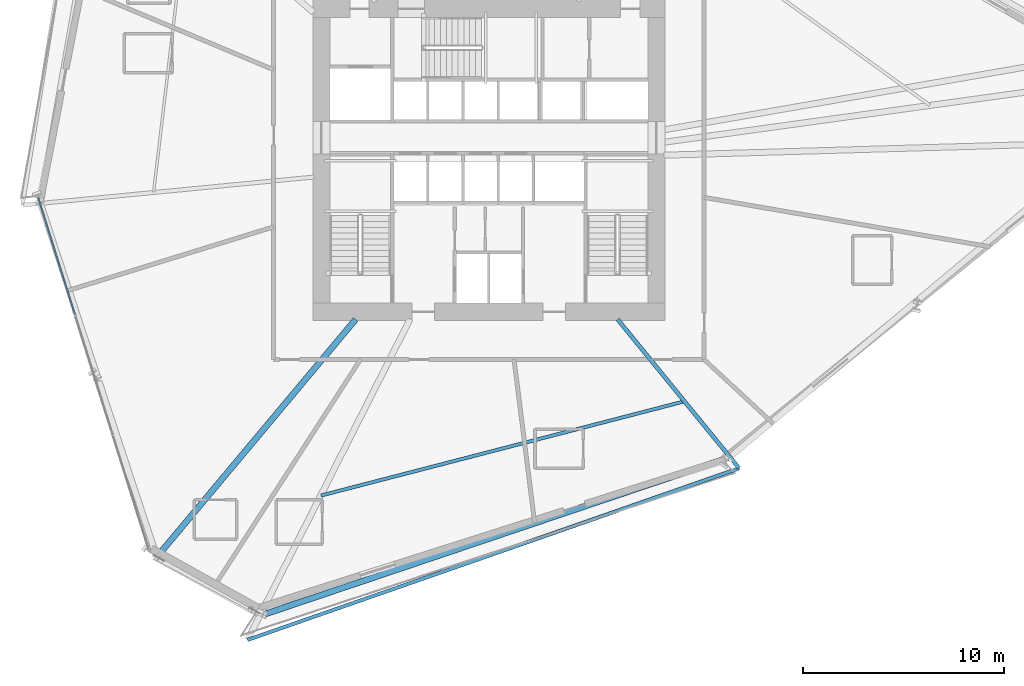
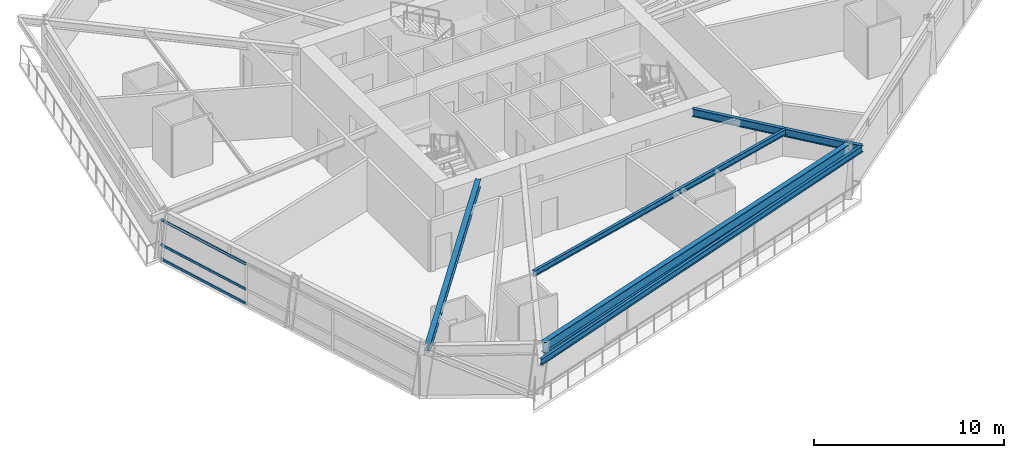
# One storey, part 5 of 21: 5 beams, 3 members, 1 element without a shape of its own.
"""IFC4 building model written with IfcOpenShell, lengths in metres."""

import ifcopenshell
import ifcopenshell.guid

model = None  # the IFC model being written
_history = None  # IfcOwnerHistory: only IFC2X3 demands one
_inside = {}  # id of a spatial element -> (the spatial element, [elements in it])
_under = {}  # id of a project, library or spatial element -> (it, [spatial elements below it])
_declared = {}  # id of a project -> (the project, [libraries it declares])
_typed = {}  # id of a type object -> (the type object, [elements of that type])
_made_of = {}  # id of a material, layer set ... -> (it, [elements and type objects made of it])


def new_model(schema):
    """Start an empty IFC model of exactly this schema.

    Asked for "IFC4X3", IfcOpenShell would pick the latest addendum, in which some entities
    have other attributes; the version numbers below select the first issue.
    IFC2X3 requires an IfcOwnerHistory on every rooted entity: one is made here for all.
    """
    global model, _history
    if schema == "IFC4X3":
        model = ifcopenshell.file(schema_version=(4, 3, 0, 0))
    else:
        model = ifcopenshell.file(schema=schema)
    _inside.clear()
    _under.clear()
    _declared.clear()
    _typed.clear()
    _made_of.clear()
    _history = None
    if model.schema == "IFC2X3":
        org = make("IfcOrganization", Name="unknown")
        user = make(
            "IfcPersonAndOrganization",
            ThePerson=make("IfcPerson", FamilyName="unknown"),
            TheOrganization=org,
        )
        app = make(
            "IfcApplication",
            ApplicationDeveloper=org,
            Version="unknown",
            ApplicationFullName="unknown",
            ApplicationIdentifier="unknown",
        )
        _history = make(
            "IfcOwnerHistory",
            OwningUser=user,
            OwningApplication=app,
            ChangeAction="ADDED",
            CreationDate=0,
        )
    return model


def make(cls, **values):
    """One entity of the class cls with the attributes given. An attribute that is None is left unset."""
    return model.create_entity(
        cls, **{name: value for name, value in values.items() if value is not None}
    )


def rooted(cls, **values):
    """An entity with a GlobalId (a new one), such as an element, a storey or a relation."""
    return make(cls, GlobalId=ifcopenshell.guid.new(), OwnerHistory=_history, **values)


def si_unit(unit_type, name, prefix=None):
    """IfcSIUnit, for example si_unit("LENGTHUNIT", "METRE", prefix="MILLI")."""
    return make("IfcSIUnit", UnitType=unit_type, Prefix=prefix, Name=name)


def assignment(units):
    """IfcUnitAssignment: the units of a project."""
    return None if units is None else make("IfcUnitAssignment", Units=units)


def point(xyz):
    """IfcCartesianPoint."""
    return None if xyz is None else make("IfcCartesianPoint", Coordinates=xyz)


def direction(xyz):
    """IfcDirection."""
    return None if xyz is None else make("IfcDirection", DirectionRatios=xyz)


def frame(location, z_axis=None, x_axis=None):
    """IfcAxis2Placement3D, a coordinate frame: its origin and axes. An axis left out is left unset."""
    return make(
        "IfcAxis2Placement3D",
        Location=point(location),
        Axis=direction(z_axis),
        RefDirection=direction(x_axis),
    )


def frame_2d(location, x_axis=None):
    """IfcAxis2Placement2D, a coordinate frame in the plane: its origin and x axis."""
    return make(
        "IfcAxis2Placement2D", Location=point(location), RefDirection=direction(x_axis)
    )


def origin():
    """The frame at (0, 0, 0) with its axes left unset."""
    return frame((0.0, 0.0, 0.0))


def origin_2d():
    """The frame at (0, 0) in the plane with its x axis left unset."""
    return frame_2d((0.0, 0.0))


def place(relative_to, where):
    """IfcLocalPlacement: puts the frame where relative to a parent placement (None: the world)."""
    return make(
        "IfcLocalPlacement", PlacementRelTo=relative_to, RelativePlacement=where
    )


def context(
    kind, dimensions, precision=None, world=None, true_north=None, identifier=None
):
    """IfcGeometricRepresentationContext, for example the 3D "Model" context."""
    return make(
        "IfcGeometricRepresentationContext",
        ContextIdentifier=identifier,
        ContextType=kind,
        CoordinateSpaceDimension=dimensions,
        Precision=precision,
        WorldCoordinateSystem=world,
        TrueNorth=true_north,
    )


def subcontext(parent, identifier, kind, view, scale=None):
    """IfcGeometricRepresentationSubContext, for example "Body" below "Model"."""
    return make(
        "IfcGeometricRepresentationSubContext",
        ContextIdentifier=identifier,
        ContextType=kind,
        ParentContext=parent,
        TargetScale=scale,
        TargetView=view,
    )


def project(units=None, contexts=None):
    """IfcProject with its units and contexts."""
    return rooted(
        "IfcProject",
        Name="project",
        RepresentationContexts=contexts,
        UnitsInContext=assignment(units),
    )


def spatial(cls, under=None, at=None, **own):
    """A site, building, storey or space (cls), placed at a placement, below another one or the project."""
    s = rooted(cls, ObjectPlacement=at, **own)
    if under is not None:
        _under.setdefault(under.id(), (under, []))[1].append(s)
    return s


def profile(cls, at=None, kind="AREA", **sizes):
    """A parametric profile (cls). Its sizes go by their IFC names, for example OverallWidth=200.0."""
    return make(cls, ProfileType=kind, Position=at, **sizes)


def hollow_rectangle(**sizes):
    """IfcRectangleHollowProfileDef."""
    return profile("IfcRectangleHollowProfileDef", **sizes)


def i_section(**sizes):
    """IfcIShapeProfileDef."""
    return profile("IfcIShapeProfileDef", **sizes)


def extrude(swept, where, along, depth):
    """IfcExtrudedAreaSolid: the profile swept, set in the frame where, extruded along a direction by depth."""
    return make(
        "IfcExtrudedAreaSolid",
        SweptArea=swept,
        Position=where,
        ExtrudedDirection=direction(along),
        Depth=depth,
    )


def shape(context_of_items, identifier, shape_type, items):
    """IfcShapeRepresentation: the items that make up one representation, for example the "Body"."""
    return make(
        "IfcShapeRepresentation",
        ContextOfItems=context_of_items,
        RepresentationIdentifier=identifier,
        RepresentationType=shape_type,
        Items=items,
    )


def source(mapping_origin, context_of_items, identifier, shape_type, items):
    """IfcRepresentationMap: a shape defined once, which mapped items show again and again."""
    return make(
        "IfcRepresentationMap",
        MappingOrigin=mapping_origin,
        MappedRepresentation=shape(context_of_items, identifier, shape_type, items),
    )


def transform(
    local_origin,
    x_axis=None,
    y_axis=None,
    z_axis=None,
    scale=None,
    scale2=None,
    scale3=None,
    uniform=True,
):
    """IfcCartesianTransformationOperator3D, or its non-uniform kind. x_axis, y_axis, z_axis: its Axis1, 2, 3."""
    if uniform:
        return make(
            "IfcCartesianTransformationOperator3D",
            Axis1=direction(x_axis),
            Axis2=direction(y_axis),
            LocalOrigin=point(local_origin),
            Scale=scale,
            Axis3=direction(z_axis),
        )
    return make(
        "IfcCartesianTransformationOperator3DnonUniform",
        Axis1=direction(x_axis),
        Axis2=direction(y_axis),
        LocalOrigin=point(local_origin),
        Scale=scale,
        Axis3=direction(z_axis),
        Scale2=scale2,
        Scale3=scale3,
    )


def mapped(mapping_source, mapping_target):
    """IfcMappedItem: shows the shape of a source again, moved by a transform."""
    return make(
        "IfcMappedItem", MappingSource=mapping_source, MappingTarget=mapping_target
    )


def material(Name=None, Category=None):
    """IfcMaterial."""
    return make("IfcMaterial", Name=Name, Category=Category)


def material_profile(
    of_material, cross_section, Name=None, Category=None, Priority=None
):
    """IfcMaterialProfile: a cross section and its material."""
    return make(
        "IfcMaterialProfile",
        Name=Name,
        Material=of_material,
        Profile=cross_section,
        Priority=Priority,
        Category=Category,
    )


def profile_set(profiles, Name=None, composite=None):
    """IfcMaterialProfileSet."""
    return make(
        "IfcMaterialProfileSet",
        Name=Name,
        MaterialProfiles=profiles,
        CompositeProfile=composite,
    )


def made_of(thing, what):
    """Note that an element or type object is made of a material, layer set ...; save() writes the relation."""
    if what is not None:
        _made_of.setdefault(what.id(), (what, []))[1].append(thing)
    return thing


def type_object(cls, material=None, **own):
    """A type object (cls), such as IfcWallType, which elements share."""
    return made_of(rooted(cls, **own), material)


def element(
    cls,
    number,
    at=None,
    inside=None,
    cuts=None,
    type_object=None,
    material=None,
    context=None,
    identifier="Body",
    shape_type=None,
    held_by="IfcProductDefinitionShape",
    body=None,
    shapes=None,
    **own,
):
    """One element of the class cls, such as IfcWall. Its Tag is "e" and its number.

    at: its placement. inside: the storey or other place that contains it. cuts: it is an
    opening in that element (IfcRelVoidsElement). A single representation is given by context,
    identifier, shape_type and body (its items); several are given by shapes. held_by: the class
    of the entity that holds the representations. save() writes the other relations.
    """
    e = rooted(cls, Tag="e%d" % number, ObjectPlacement=at, **own)
    if body is not None:
        shapes = [shape(context, identifier, shape_type, body)]
    if shapes is not None:
        e.Representation = make(held_by, Representations=shapes)
    if inside is not None:
        _inside.setdefault(inside.id(), (inside, []))[1].append(e)
    if cuts is not None:
        rooted(
            "IfcRelVoidsElement", RelatingBuildingElement=cuts, RelatedOpeningElement=e
        )
    if type_object is not None:
        _typed.setdefault(type_object.id(), (type_object, []))[1].append(e)
    return made_of(e, material)


def aggregate(whole, parts):
    """IfcRelAggregates: a whole, such as a stair, and the parts it consists of."""
    return rooted("IfcRelAggregates", RelatingObject=whole, RelatedObjects=parts)


def save(model, path):
    """Write the relations noted so far, then the file.

    IfcRelAggregates (storeys below a building ...), IfcRelContainedInSpatialStructure (elements
    in a storey), IfcRelDefinesByType, IfcRelAssociatesMaterial and IfcRelDeclares: one each for
    every whole, place, type object, material and project.
    """
    for whole, parts in _under.values():
        aggregate(whole, parts)
    for where, things in _inside.values():
        rooted(
            "IfcRelContainedInSpatialStructure",
            RelatedElements=things,
            RelatingStructure=where,
        )
    for kind, things in _typed.values():
        rooted("IfcRelDefinesByType", RelatedObjects=things, RelatingType=kind)
    for what, things in _made_of.values():
        rooted("IfcRelAssociatesMaterial", RelatedObjects=things, RelatingMaterial=what)
    for by, libraries in _declared.values():
        rooted("IfcRelDeclares", RelatingContext=by, RelatedDefinitions=libraries)
    model.write(path)


model = new_model("IFC4")

# Units and contexts
model_context = context("Model", 3, precision=1e-05, world=origin(), true_north=direction((0.0, 1.0)))
body_context = subcontext(model_context, "Body", "Model", "MODEL_VIEW")
ifc_project = project(units=[si_unit("LENGTHUNIT", "METRE"), si_unit("AREAUNIT", "SQUARE_METRE"), si_unit("VOLUMEUNIT", "CUBIC_METRE"), si_unit("PLANEANGLEUNIT", "RADIAN"), si_unit("MASSUNIT", "GRAM", prefix="KILO")], contexts=[model_context])

# Site, building, storey
site_placement = place(None, origin())
site = spatial("IfcSite", under=ifc_project, at=site_placement, CompositionType="ELEMENT")
building_placement = place(site_placement, origin())
building = spatial("IfcBuilding", under=site, at=building_placement, Name="Olszyna Solenne Hotel", CompositionType="ELEMENT")
storey_placement = place(building_placement, frame((0.0, 0.0, 54.14990234375)))
storey = spatial("IfcBuildingStorey", under=building, at=storey_placement, Name="L13", CompositionType="ELEMENT", Elevation=54.14990234375)

# Beams
ifc_material_1 = material(Name="Steel S355J2", Category="steel")
ifc_material_profile_1 = material_profile(ifc_material_1, i_section(OverallWidth=0.300048828125, OverallDepth=0.699951171875, WebThickness=0.01708984375, FlangeThickness=0.031982421875, at=origin_2d()), Name="HEB 700", Category="load-bearing")
ifc_profile_set_1 = profile_set([ifc_material_profile_1], Name="Steel S355J2")
beam_type_1 = type_object("IfcBeamType", Name="BM-S1", PredefinedType="BEAM", material=ifc_profile_set_1)
shared_shape_1 = source(origin(), body_context, "Body", "SweptSolid", [
    extrude(i_section(OverallWidth=0.300048828125, OverallDepth=0.699951171875, WebThickness=0.01708984375, FlangeThickness=0.031982421875, at=origin_2d()), origin(), (0.0, 0.0, 1.0), 24.299072265625),
])
beam_1_placement = place(storey_placement, frame((26.867431640625, 4.0478515625, 2.9501953125), z_axis=(0.947557063564, 0.319586625644, 0.0), x_axis=(-0.319586625644, 0.947557063564, 0.0)))
element("IfcBeam", 1, at=beam_1_placement, inside=storey, type_object=beam_type_1, Name="Perimeter spandrel beam BM-S1 B-L13-0415", PredefinedType="BEAM", context=body_context, shape_type="MappedRepresentation", body=[
    mapped(shared_shape_1, transform((0.0, 0.0, 0.0), x_axis=(1.0, 0.0, 0.0), y_axis=(0.0, 1.0, 0.0), z_axis=(0.0, 0.0, 1.0), scale=1.0)),
])
ifc_material_profile_2 = material_profile(ifc_material_1, i_section(OverallWidth=0.300048828125, OverallDepth=0.489990234375, WebThickness=0.011962890625, FlangeThickness=0.02294921875, at=origin_2d()), Name="HEA 500", Category="load-bearing")
ifc_profile_set_2 = profile_set([ifc_material_profile_2], Name="Steel S355J2")
beam_type_2 = type_object("IfcBeamType", Name="BM-G1", PredefinedType="BEAM", material=ifc_profile_set_2)
shared_shape_2 = source(origin(), body_context, "Body", "SweptSolid", [
    extrude(i_section(OverallWidth=0.300048828125, OverallDepth=0.489990234375, WebThickness=0.011962890625, FlangeThickness=0.02294921875, at=origin_2d()), origin(), (0.0, 0.0, 1.0), 15.3291015625),
])
beam_2_placement = place(storey_placement, frame((21.539794921875, 6.93310546875, 3.05517578125), z_axis=(0.641826247289, 0.766850095058, 0.0), x_axis=(-0.766850095058, 0.641826247289, 0.0)))
element("IfcBeam", 2, at=beam_2_placement, inside=storey, type_object=beam_type_2, Name="Radial floor girder BM-G1 B-L13-0424", PredefinedType="BEAM", context=body_context, shape_type="MappedRepresentation", body=[
    mapped(shared_shape_2, transform((0.0, 0.0, 0.0), x_axis=(1.0, 0.0, 0.0), y_axis=(0.0, 1.0, 0.0), z_axis=(0.0, 0.0, 1.0), scale=1.0)),
])
ifc_material_profile_3 = material_profile(ifc_material_1, i_section(OverallWidth=0.199951171875, OverallDepth=0.5, WebThickness=0.01025390625, FlangeThickness=0.01611328125, at=origin_2d()), Name="IPE 500", Category="load-bearing")
ifc_profile_set_3 = profile_set([ifc_material_profile_3], Name="Steel S355J2")
beam_type_3 = type_object("IfcBeamType", Name="BM-F3", PredefinedType="BEAM", material=ifc_profile_set_3)
shared_shape_3 = source(origin(), body_context, "Body", "SweptSolid", [
    extrude(i_section(OverallWidth=0.199951171875, OverallDepth=0.5, WebThickness=0.01025390625, FlangeThickness=0.01611328125, at=origin_2d()), origin(), (0.0, 0.0, 1.0), 9.5244140625),
])
beam_3_placement = place(storey_placement, frame((50.421875, 11.30859375, 3.050048828125), z_axis=(-0.632106476759, 0.77488154065, 0.0), x_axis=(-0.77488154065, -0.632106476759, 0.0)))
element("IfcBeam", 3, at=beam_3_placement, inside=storey, type_object=beam_type_3, Name="Radial floor girder BM-F3 B-L13-0426", PredefinedType="BEAM", context=body_context, shape_type="MappedRepresentation", body=[
    mapped(shared_shape_3, transform((0.0, 0.0, 0.0), x_axis=(1.0, 0.0, 0.0), y_axis=(0.0, 1.0, 0.0), z_axis=(0.0, 0.0, 1.0), scale=1.0)),
])
ifc_material_profile_4 = material_profile(ifc_material_1, i_section(OverallWidth=0.169921875, OverallDepth=0.360107421875, WebThickness=0.008056640625, FlangeThickness=0.0126953125, at=origin_2d()), Name="IPE 360", Category="load-bearing")
ifc_profile_set_4 = profile_set([ifc_material_profile_4], Name="Steel S355J2")
beam_type_4 = type_object("IfcBeamType", Name="JS-01", PredefinedType="JOIST", material=ifc_profile_set_4)
shared_shape_4 = source(origin(), body_context, "Body", "SweptSolid", [
    extrude(i_section(OverallWidth=0.169921875, OverallDepth=0.360107421875, WebThickness=0.008056640625, FlangeThickness=0.0126953125, at=origin_2d()), origin(), (0.0, 0.0, 1.0), 18.63525390625),
])
beam_4_placement = place(storey_placement, frame((29.6611328125, 9.940185546875, 3.1201171875), z_axis=(0.968006916799, 0.250923512309, 0.0), x_axis=(-0.250923512309, 0.968006916799, 0.0)))
element("IfcBeam", 4, at=beam_4_placement, inside=storey, type_object=beam_type_4, Name="Secondary composite floor joist JS-01 B-L13-0432", PredefinedType="JOIST", context=body_context, shape_type="MappedRepresentation", body=[
    mapped(shared_shape_4, transform((0.0, 0.0, 0.0), x_axis=(1.0, 0.0, 0.0), y_axis=(0.0, 1.0, 0.0), z_axis=(0.0, 0.0, 1.0), scale=1.0)),
])
ifc_material_profile_5 = material_profile(ifc_material_1, i_section(OverallWidth=0.179931640625, OverallDepth=0.39990234375, WebThickness=0.008544921875, FlangeThickness=0.013427734375, at=origin_2d()), Name="IPE 400", Category="load-bearing")
ifc_profile_set_5 = profile_set([ifc_material_profile_5], Name="Steel S355J2")
beam_type_5 = type_object("IfcBeamType", Name="BM-F5", PredefinedType="BEAM", material=ifc_profile_set_5)
shared_shape_5 = source(origin(), body_context, "Body", "SweptSolid", [
    extrude(i_section(OverallWidth=0.179931640625, OverallDepth=0.39990234375, WebThickness=0.008544921875, FlangeThickness=0.013427734375, at=origin_2d()), origin(), (0.0, 0.0, 1.0), 25.86962890625),
])
beam_5_placement = place(storey_placement, frame((26.009521484375, 2.768310546875, 3.10009765625), z_axis=(0.94414754517, 0.329523008224, 0.0), x_axis=(-0.329523008224, 0.94414754517, 0.0)))
element("IfcBeam", 5, at=beam_5_placement, inside=storey, type_object=beam_type_5, Name="Loggia outer edge beam BM-F5 B-L13-0435", PredefinedType="BEAM", context=body_context, shape_type="MappedRepresentation", body=[
    mapped(shared_shape_5, transform((0.0, 0.0, 0.0), x_axis=(1.0, 0.0, 0.0), y_axis=(0.0, 1.0, 0.0), z_axis=(0.0, 0.0, 1.0), scale=1.0)),
])

# Curtain wall, members
ifc_material_2 = material(Name="Anodised bronze aluminium", Category="aluminium")
curtain_wall_type = type_object("IfcCurtainWallType", Name="CW-SYS-2", PredefinedType="NOTDEFINED", material=ifc_material_2)
curtain_wall_placement = place(storey_placement, origin())
curtain_wall = element("IfcCurtainWall", 6, at=curtain_wall_placement, inside=storey, type_object=curtain_wall_type, Name="Unitised curtain wall CW-SYS-2 CW-L13-01", PredefinedType="NOTDEFINED")
ifc_material_profile_6 = material_profile(ifc_material_2, hollow_rectangle(XDim=0.074951171875, YDim=0.159912109375, WallThickness=0.00390625, at=origin_2d()), Name="TRAN 160x75x4", Category="load-bearing")
ifc_profile_set_6 = profile_set([ifc_material_profile_6], Name="Anodised bronze aluminium")
member_type = type_object("IfcMemberType", Name="CW-T1", PredefinedType="USERDEFINED", material=ifc_profile_set_6)
shared_shape_6 = source(origin(), body_context, "Body", "SweptSolid", [
    extrude(hollow_rectangle(XDim=0.074951171875, YDim=0.159912109375, WallThickness=0.00390625, at=origin_2d()), origin(), (0.0, 0.0, 1.0), 6.061767578125),
])
member_1_placement = place(storey_placement, frame((15.61474609375, 24.732177734375, 0.03759765625), z_axis=(0.300088402328, -0.95391139567, 0.0), x_axis=(0.95391139567, 0.300088402328, 0.0)))
member_1 = element("IfcMember", 7, at=member_1_placement, type_object=member_type, Name="Curtain-wall transom CW-T1 CT-L13-01-01", ObjectType="TRANSOM", PredefinedType="USERDEFINED", context=body_context, shape_type="MappedRepresentation", body=[
    mapped(shared_shape_6, transform((0.0, 0.0, 0.0), x_axis=(1.0, 0.0, 0.0), y_axis=(0.0, 1.0, 0.0), z_axis=(0.0, 0.0, 1.0), scale=1.0)),
])
member_2_placement = place(storey_placement, frame((15.61474609375, 24.732177734375, 0.9501953125), z_axis=(0.300088402328, -0.95391139567, 0.0), x_axis=(0.95391139567, 0.300088402328, 0.0)))
member_2 = element("IfcMember", 8, at=member_2_placement, type_object=member_type, Name="Curtain-wall transom CW-T1 CT-L13-01-02", ObjectType="TRANSOM", PredefinedType="USERDEFINED", context=body_context, shape_type="MappedRepresentation", body=[
    mapped(shared_shape_6, transform((0.0, 0.0, 0.0), x_axis=(1.0, 0.0, 0.0), y_axis=(0.0, 1.0, 0.0), z_axis=(0.0, 0.0, 1.0), scale=1.0)),
])
member_3_placement = place(storey_placement, frame((15.61474609375, 24.732177734375, 2.5546875), z_axis=(0.300088402328, -0.95391139567, 0.0), x_axis=(0.95391139567, 0.300088402328, 0.0)))
member_3 = element("IfcMember", 9, at=member_3_placement, type_object=member_type, Name="Curtain-wall transom CW-T1 CT-L13-01-03", ObjectType="TRANSOM", PredefinedType="USERDEFINED", context=body_context, shape_type="MappedRepresentation", body=[
    mapped(shared_shape_6, transform((0.0, 0.0, 0.0), x_axis=(1.0, 0.0, 0.0), y_axis=(0.0, 1.0, 0.0), z_axis=(0.0, 0.0, 1.0), scale=1.0)),
])
aggregate(curtain_wall, [member_1, member_2, member_3])

save(model, "model.ifc")
